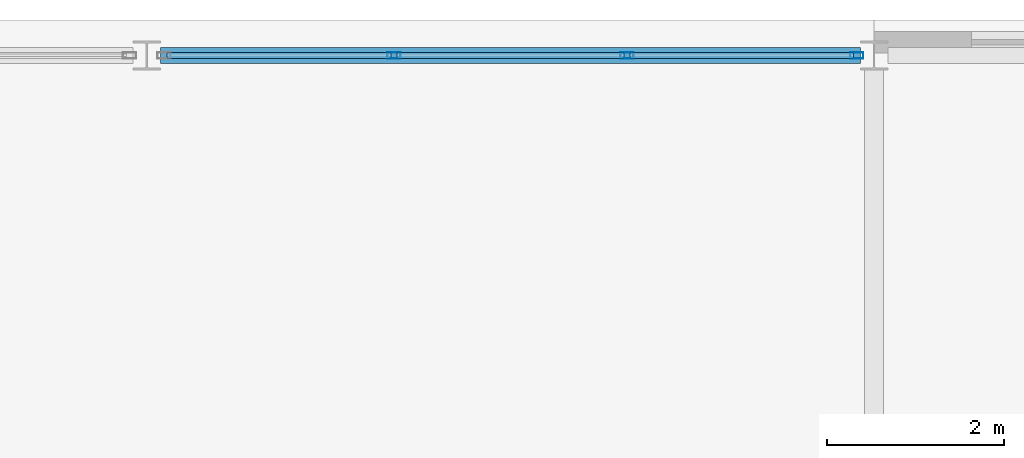
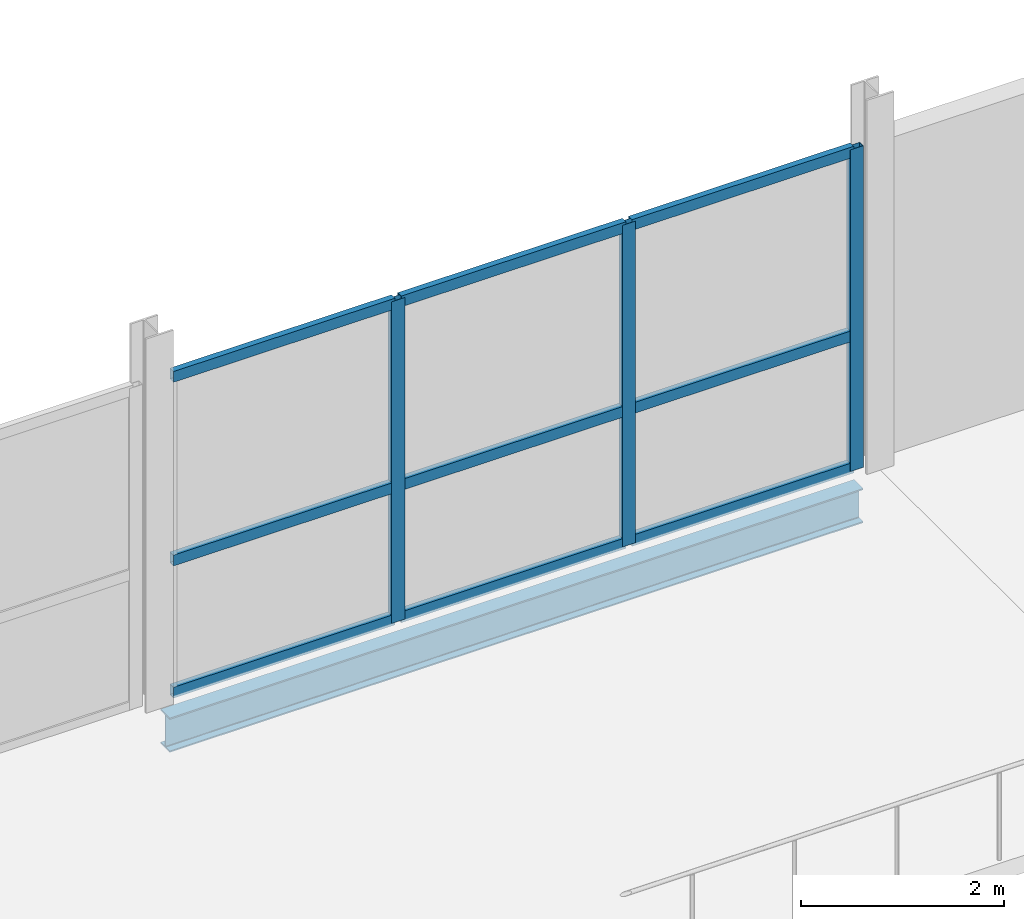
# One storey, part 53 of 77: 12 members, 1 beam, 1 element without a shape of its own.
"""IFC4 building model written with IfcOpenShell, lengths in metres."""

from ifc_helpers import new_model, si_unit, direction, frame, origin, origin_2d, place, context, subcontext, project, spatial, hollow_rectangle, i_section, extrude, material, layer, layer_set, material_profile, profile_set, type_object, element, aggregate, save


model = new_model("IFC4")

# Units and contexts
model_context = context("Model", 3, precision=1e-05, world=origin(), true_north=direction((0.0, 1.0)))
body_context = subcontext(model_context, "Body", "Model", "MODEL_VIEW")
ifc_project = project(units=[si_unit("LENGTHUNIT", "METRE"), si_unit("AREAUNIT", "SQUARE_METRE"), si_unit("VOLUMEUNIT", "CUBIC_METRE"), si_unit("PLANEANGLEUNIT", "RADIAN"), si_unit("MASSUNIT", "GRAM", prefix="KILO")], contexts=[model_context])

# Site, building, storey
site_placement = place(None, origin())
site = spatial("IfcSite", under=ifc_project, at=site_placement, CompositionType="ELEMENT")
building_placement = place(site_placement, origin())
building = spatial("IfcBuilding", under=site, at=building_placement, Name="Quillay Park Conservatory", CompositionType="ELEMENT")
storey_placement = place(building_placement, frame((0.0, 0.0, 5.39990234375)))
storey = spatial("IfcBuildingStorey", under=building, at=storey_placement, Name="L01", CompositionType="ELEMENT", Elevation=5.39990234375)

# Curtain wall, members
ifc_material_1 = material(Name="Thermally Broken Anodised Aluminium 6063-T6", Category="aluminium")
ifc_layer = layer(ifc_material_1, 0.1650390625)
ifc_layer_set = layer_set([ifc_layer], Name="UNITISED CURTAIN WALL PODIUM (Thermally Broken Anodised Aluminium 6063-T6)")
curtain_wall_type = type_object("IfcCurtainWallType", Name="UNITISED CURTAIN WALL PODIUM", PredefinedType="USERDEFINED", material=ifc_layer_set)
curtain_wall_placement = place(storey_placement, origin())
curtain_wall = element("IfcCurtainWall", 1, at=curtain_wall_placement, inside=storey, type_object=curtain_wall_type, Name="L01 Unitised Curtain Wall 222", ObjectType="UNITISED CURTAIN WALL", PredefinedType="USERDEFINED")
ifc_material_2 = material(Name="Thermally Broken Anodised Aluminium 6063-T6", Category="aluminium")
ifc_material_profile_1 = material_profile(ifc_material_2, hollow_rectangle(XDim=0.070068359375, YDim=0.14990234375, WallThickness=0.00341796875, at=origin_2d()), Name="AL70x150x3.5")
ifc_profile_set_1 = profile_set([ifc_material_profile_1], Name="Thermally Broken Anodised Aluminium 6063-T6")
member_type_1 = type_object("IfcMemberType", Name="CURTAIN WALL MULLION 70 X150", PredefinedType="MULLION", material=ifc_profile_set_1)
member_1_placement = place(storey_placement, frame((142.586669921875, 113.39990234375, 0.0), z_axis=(0.0, 0.0, 1.0), x_axis=(0.0, 1.0, 0.0)))
member_1 = element("IfcMember", 2, at=member_1_placement, type_object=member_type_1, Name="CW-P1 mullion 2", PredefinedType="MULLION", context=body_context, shape_type="SweptSolid", body=[
    extrude(hollow_rectangle(XDim=0.070068359375, YDim=0.14990234375, WallThickness=0.00341796875, at=origin_2d()), origin(), (0.0, 0.0, 1.0), 3.869140625),
])
member_2_placement = place(storey_placement, frame((145.21337890625, 113.39990234375, 0.0), z_axis=(0.0, 0.0, 1.0), x_axis=(0.0, 1.0, 0.0)))
member_2 = element("IfcMember", 3, at=member_2_placement, type_object=member_type_1, Name="CW-P1 mullion 3", PredefinedType="MULLION", context=body_context, shape_type="SweptSolid", body=[
    extrude(hollow_rectangle(XDim=0.070068359375, YDim=0.14990234375, WallThickness=0.00341796875, at=origin_2d()), origin(), (0.0, 0.0, 1.0), 3.869140625),
])
member_3_placement = place(storey_placement, frame((147.804931640625, 113.39990234375, 0.0), z_axis=(0.0, 0.0, 1.0), x_axis=(0.0, 1.0, 0.0)))
member_3 = element("IfcMember", 4, at=member_3_placement, type_object=member_type_1, Name="CW-P1 mullion 4", PredefinedType="MULLION", context=body_context, shape_type="SweptSolid", body=[
    extrude(hollow_rectangle(XDim=0.070068359375, YDim=0.14990234375, WallThickness=0.00341796875, at=origin_2d()), origin(), (0.0, 0.0, 1.0), 3.869140625),
])
ifc_material_3 = material(Name="Thermally Broken Anodised Aluminium 6063-T6", Category="aluminium")
ifc_material_profile_2 = material_profile(ifc_material_3, hollow_rectangle(XDim=0.070068359375, YDim=0.1298828125, WallThickness=0.003173828125, at=origin_2d()), Name="AL70x130x3.2")
ifc_profile_set_2 = profile_set([ifc_material_profile_2], Name="Thermally Broken Anodised Aluminium 6063-T6")
member_type_2 = type_object("IfcMemberType", Name="CURTAIN WALL TRANSOM 70 X130", PredefinedType="USERDEFINED", material=ifc_profile_set_2)
member_4_placement = place(storey_placement, frame((140.030029296875, 113.39990234375, 0.03515625), z_axis=(1.0, 0.0, 0.0), x_axis=(0.0, 1.0, 0.0)))
member_4 = element("IfcMember", 5, at=member_4_placement, type_object=member_type_2, Name="CW-P1 transom 1.1", ObjectType="TRANSOM", PredefinedType="USERDEFINED", context=body_context, shape_type="SweptSolid", body=[
    extrude(hollow_rectangle(XDim=0.070068359375, YDim=0.1298828125, WallThickness=0.003173828125, at=origin_2d()), origin(), (0.0, 0.0, 1.0), 2.521728515625),
])
member_5_placement = place(storey_placement, frame((140.030029296875, 113.39990234375, 1.625), z_axis=(1.0, 0.0, 0.0), x_axis=(0.0, 1.0, 0.0)))
member_5 = element("IfcMember", 6, at=member_5_placement, type_object=member_type_2, Name="CW-P1 transom 1.2", ObjectType="TRANSOM", PredefinedType="USERDEFINED", context=body_context, shape_type="SweptSolid", body=[
    extrude(hollow_rectangle(XDim=0.070068359375, YDim=0.1298828125, WallThickness=0.003173828125, at=origin_2d()), origin(), (0.0, 0.0, 1.0), 2.521728515625),
])
member_6_placement = place(storey_placement, frame((140.030029296875, 113.39990234375, 3.833984375), z_axis=(1.0, 0.0, 0.0), x_axis=(0.0, 1.0, 0.0)))
member_6 = element("IfcMember", 7, at=member_6_placement, type_object=member_type_2, Name="CW-P1 transom 1.3", ObjectType="TRANSOM", PredefinedType="USERDEFINED", context=body_context, shape_type="SweptSolid", body=[
    extrude(hollow_rectangle(XDim=0.070068359375, YDim=0.1298828125, WallThickness=0.003173828125, at=origin_2d()), origin(), (0.0, 0.0, 1.0), 2.521728515625),
])
member_7_placement = place(storey_placement, frame((142.62158203125, 113.39990234375, 0.03515625), z_axis=(1.0, 0.0, 0.0), x_axis=(0.0, 1.0, 0.0)))
member_7 = element("IfcMember", 8, at=member_7_placement, type_object=member_type_2, Name="CW-P1 transom 2.1", ObjectType="TRANSOM", PredefinedType="USERDEFINED", context=body_context, shape_type="SweptSolid", body=[
    extrude(hollow_rectangle(XDim=0.070068359375, YDim=0.1298828125, WallThickness=0.003173828125, at=origin_2d()), origin(), (0.0, 0.0, 1.0), 2.556640625),
])
member_8_placement = place(storey_placement, frame((142.62158203125, 113.39990234375, 1.625), z_axis=(1.0, 0.0, 0.0), x_axis=(0.0, 1.0, 0.0)))
member_8 = element("IfcMember", 9, at=member_8_placement, type_object=member_type_2, Name="CW-P1 transom 2.2", ObjectType="TRANSOM", PredefinedType="USERDEFINED", context=body_context, shape_type="SweptSolid", body=[
    extrude(hollow_rectangle(XDim=0.070068359375, YDim=0.1298828125, WallThickness=0.003173828125, at=origin_2d()), origin(), (0.0, 0.0, 1.0), 2.556640625),
])
member_9_placement = place(storey_placement, frame((142.62158203125, 113.39990234375, 3.833984375), z_axis=(1.0, 0.0, 0.0), x_axis=(0.0, 1.0, 0.0)))
member_9 = element("IfcMember", 10, at=member_9_placement, type_object=member_type_2, Name="CW-P1 transom 2.3", ObjectType="TRANSOM", PredefinedType="USERDEFINED", context=body_context, shape_type="SweptSolid", body=[
    extrude(hollow_rectangle(XDim=0.070068359375, YDim=0.1298828125, WallThickness=0.003173828125, at=origin_2d()), origin(), (0.0, 0.0, 1.0), 2.556640625),
])
member_10_placement = place(storey_placement, frame((145.248291015625, 113.39990234375, 0.03515625), z_axis=(1.0, 0.0, 0.0), x_axis=(0.0, 1.0, 0.0)))
member_10 = element("IfcMember", 11, at=member_10_placement, type_object=member_type_2, Name="CW-P1 transom 3.1", ObjectType="TRANSOM", PredefinedType="USERDEFINED", context=body_context, shape_type="SweptSolid", body=[
    extrude(hollow_rectangle(XDim=0.070068359375, YDim=0.1298828125, WallThickness=0.003173828125, at=origin_2d()), origin(), (0.0, 0.0, 1.0), 2.521728515625),
])
member_11_placement = place(storey_placement, frame((145.248291015625, 113.39990234375, 1.625), z_axis=(1.0, 0.0, 0.0), x_axis=(0.0, 1.0, 0.0)))
member_11 = element("IfcMember", 12, at=member_11_placement, type_object=member_type_2, Name="CW-P1 transom 3.2", ObjectType="TRANSOM", PredefinedType="USERDEFINED", context=body_context, shape_type="SweptSolid", body=[
    extrude(hollow_rectangle(XDim=0.070068359375, YDim=0.1298828125, WallThickness=0.003173828125, at=origin_2d()), origin(), (0.0, 0.0, 1.0), 2.521728515625),
])
member_12_placement = place(storey_placement, frame((145.248291015625, 113.39990234375, 3.833984375), z_axis=(1.0, 0.0, 0.0), x_axis=(0.0, 1.0, 0.0)))
member_12 = element("IfcMember", 13, at=member_12_placement, type_object=member_type_2, Name="CW-P1 transom 3.3", ObjectType="TRANSOM", PredefinedType="USERDEFINED", context=body_context, shape_type="SweptSolid", body=[
    extrude(hollow_rectangle(XDim=0.070068359375, YDim=0.1298828125, WallThickness=0.003173828125, at=origin_2d()), origin(), (0.0, 0.0, 1.0), 2.521728515625),
])
aggregate(curtain_wall, [member_1, member_2, member_3, member_4, member_5, member_6, member_7, member_8, member_9, member_10, member_11, member_12])

# Beam
ifc_material_4 = material(Name="Steel ASTM A992 Grade 50", Category="steel")
ifc_material_profile_3 = material_profile(ifc_material_4, i_section(OverallWidth=0.179931640625, OverallDepth=0.4130859375, WebThickness=0.009765625, FlangeThickness=0.01611328125, FilletRadius=0.011962890625, at=origin_2d()), Name="W410x74")
ifc_profile_set_3 = profile_set([ifc_material_profile_3], Name="Steel ASTM A992 Grade 50")
beam_type = type_object("IfcBeamType", Name="PERIMETER SPANDREL BEAM W410 X74", PredefinedType="SPANDREL", material=ifc_profile_set_3)
beam_placement = place(storey_placement, frame((139.955078125, 113.39990234375, -0.41650390625), z_axis=(1.0, 0.0, 0.0), x_axis=(0.0, 1.0, 0.0)))
element("IfcBeam", 14, at=beam_placement, inside=storey, type_object=beam_type, Name="L01 beam BM-V2P-1708", PredefinedType="SPANDREL", context=body_context, shape_type="SweptSolid", body=[
    extrude(i_section(OverallWidth=0.179931640625, OverallDepth=0.4130859375, WebThickness=0.009765625, FlangeThickness=0.01611328125, FilletRadius=0.011962890625, at=origin_2d()), origin(), (0.0, 0.0, 1.0), 7.889892578125),
])

save(model, "model.ifc")
